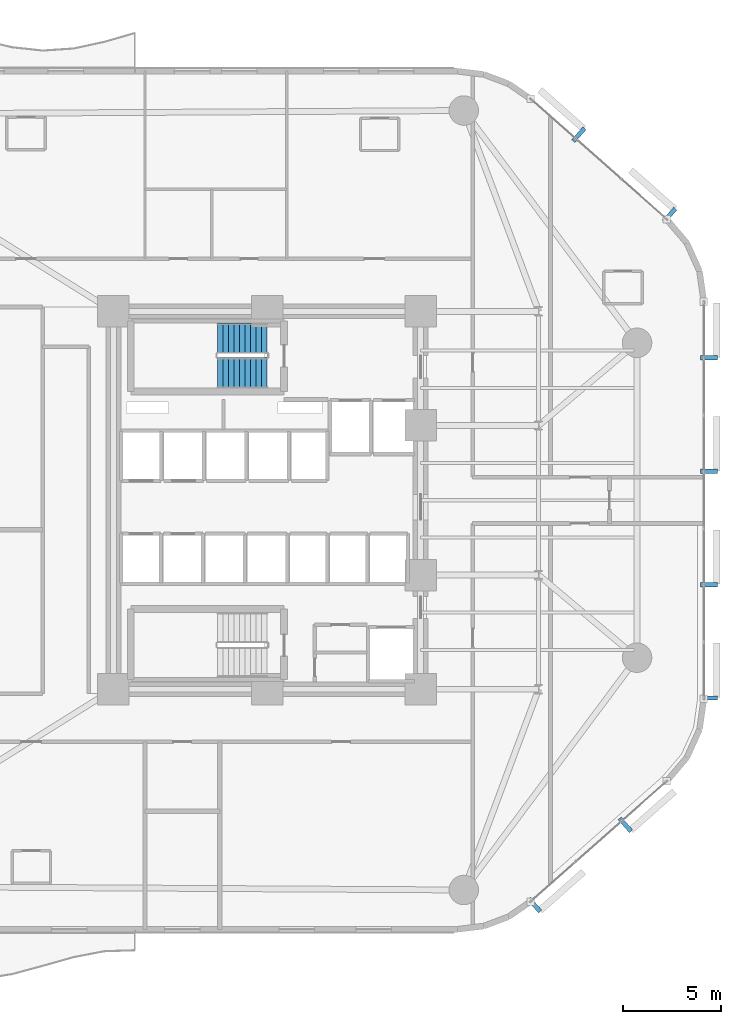
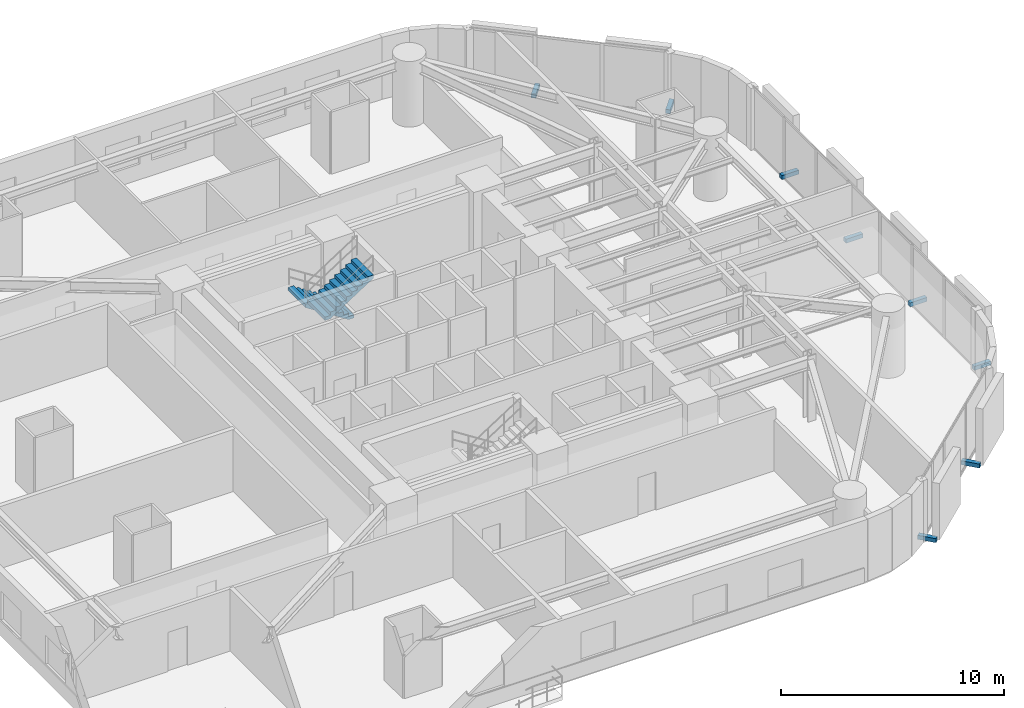
# One storey, part 14 of 17: 8 discrete accessories, 2 stair flights, 1 element without a shape of its own.
"""IFC4 building model written with IfcOpenShell, lengths in metres."""

from ifc_helpers import new_model, si_unit, direction, frame, origin, origin_2d, place, context, subcontext, project, spatial, polyline, rectangle, outline, extrude, material, type_object, element, aggregate, save


model = new_model("IFC4")

# Units and contexts
model_context = context("Model", 3, precision=1e-05, world=origin(), true_north=direction((0.0, 1.0)))
body_context = subcontext(model_context, "Body", "Model", "MODEL_VIEW")
ifc_project = project(units=[si_unit("LENGTHUNIT", "METRE"), si_unit("AREAUNIT", "SQUARE_METRE"), si_unit("VOLUMEUNIT", "CUBIC_METRE"), si_unit("PLANEANGLEUNIT", "RADIAN"), si_unit("MASSUNIT", "GRAM", prefix="KILO")], contexts=[model_context])

# Site, building, storey
site_placement = place(None, origin())
site = spatial("IfcSite", under=ifc_project, at=site_placement, CompositionType="ELEMENT")
building_placement = place(site_placement, origin())
building = spatial("IfcBuilding", under=site, at=building_placement, Name="An Khanh Terracotta Commons", CompositionType="ELEMENT")
storey_placement = place(building_placement, frame((0.0, 0.0, 32.39990234375)))
storey = spatial("IfcBuildingStorey", under=building, at=storey_placement, Name="L08", CompositionType="ELEMENT", Elevation=32.39990234375)

# Stair, stair flights
ifc_material_1 = material(Name="Precast concrete C40/50", Category="concrete")
stair_type = type_object("IfcStairType", Name="STAIR-CORE-1550", PredefinedType="HALF_TURN_STAIR", material=ifc_material_1)
stair_placement = place(storey_placement, origin())
stair = element("IfcStair", 1, at=stair_placement, inside=storey, type_object=stair_type, Name="L08 Core Smokeproof Exit Stair ST-01", PredefinedType="HALF_TURN_STAIR")
stair_flight_type = type_object("IfcStairFlightType", Name="FLIGHT-CORE-1550", PredefinedType="STRAIGHT", material=ifc_material_1)
stair_flight_1_placement = place(storey_placement, frame((29.409912109375, 32.22509765625, 0.0), z_axis=(0.0, 0.0, 1.0), x_axis=(-1.0, 0.0, 0.0)))
stair_flight_1 = element("IfcStairFlight", 2, at=stair_flight_1_placement, type_object=stair_flight_type, Name="ST-01 flight 1", NumberOfRisers=10, NumberOfTreads=9, PredefinedType="STRAIGHT", RiserHeight=0.18, TreadLength=0.28, context=body_context, shape_type="SweptSolid", body=[
    extrude(outline(polyline([(0.0, 0.0), (0.0, 0.179931640625), (0.280029296875, 0.179931640625), (0.280029296875, 0.360107421875), (0.56005859375, 0.360107421875), (0.56005859375, 0.5400390625), (0.840087890625, 0.5400390625), (0.840087890625, 0.719970703125), (1.1201171875, 0.719970703125), (1.1201171875, 0.89990234375), (1.39990234375, 0.89990234375), (1.39990234375, 1.080078125), (1.679931640625, 1.080078125), (1.679931640625, 1.260009765625), (1.9599609375, 1.260009765625), (1.9599609375, 1.43994140625), (2.239990234375, 1.43994140625), (2.239990234375, 1.6201171875), (2.52001953125, 1.6201171875), (2.52001953125, 1.800048828125), (2.52001953125, 1.44189453125), (0.277099609375, 0.0), (0.0, 0.0)])), frame((0.0, 0.77490234375, 0.0), z_axis=(0.0, -1.0, 0.0), x_axis=(1.0, 0.0, 0.0)), (0.0, 0.0, 1.0), 1.550048828125),
])
stair_flight_2_placement = place(storey_placement, frame((26.889892578125, 30.47509765625, 1.800048828125), z_axis=(0.0, 0.0, 1.0), x_axis=(1.0, 0.0, 0.0)))
stair_flight_2 = element("IfcStairFlight", 3, at=stair_flight_2_placement, type_object=stair_flight_type, Name="ST-01 flight 2", NumberOfRisers=10, NumberOfTreads=9, PredefinedType="STRAIGHT", RiserHeight=0.18, TreadLength=0.28, context=body_context, shape_type="SweptSolid", body=[
    extrude(outline(polyline([(0.0, 0.0), (0.0, 0.179931640625), (0.280029296875, 0.179931640625), (0.280029296875, 0.360107421875), (0.56005859375, 0.360107421875), (0.56005859375, 0.5400390625), (0.840087890625, 0.5400390625), (0.840087890625, 0.719970703125), (1.1201171875, 0.719970703125), (1.1201171875, 0.89990234375), (1.39990234375, 0.89990234375), (1.39990234375, 1.080078125), (1.679931640625, 1.080078125), (1.679931640625, 1.260009765625), (1.9599609375, 1.260009765625), (1.9599609375, 1.43994140625), (2.239990234375, 1.43994140625), (2.239990234375, 1.6201171875), (2.52001953125, 1.6201171875), (2.52001953125, 1.800048828125), (2.52001953125, 1.44189453125), (0.277099609375, 0.0), (0.0, 0.0)])), frame((0.0, 0.77490234375, 0.0), z_axis=(0.0, -1.0, 0.0), x_axis=(1.0, 0.0, 0.0)), (0.0, 0.0, 1.0), 1.550048828125),
])
aggregate(stair, [stair_flight_1, stair_flight_2])

# Discrete accessories
ifc_material_2 = material(Name="Stainless Steel Grade 316L", Category="steel")
discrete_accessory_type = type_object("IfcDiscreteAccessoryType", Name="Stainless Outrigger Facade Bracket", PredefinedType="BRACKET", material=ifc_material_2)
for number, where, z_axis, x_axis, name in (
    (4, (42.990966796875, 3.430908203125, 0.0703125), (0.0, 0.0, 1.0), (0.749019284633, 0.662548195415, 0.0), "L08 Terracotta Screen Outrigger Bracket 1"),
    (5, (47.60498046875, 7.511962890625, 0.0703125), (0.0, 0.0, 1.0), (0.749019284633, 0.662548195415, 0.0), "L08 Terracotta Screen Outrigger Bracket 3"),
    (6, (51.864990234375, 13.9580078125, 0.0703125), (0.0, 0.0, 1.0), (0.0, 1.0, 0.0), "L08 Terracotta Screen Outrigger Bracket 1"),
    (7, (51.864990234375, 19.716064453125, 0.0703125), (0.0, 0.0, 1.0), (0.0, 1.0, 0.0), "L08 Terracotta Screen Outrigger Bracket 3"),
    (8, (51.864990234375, 25.47509765625, 0.0703125), (0.0, 0.0, 1.0), (0.0, 1.0, 0.0), "L08 Terracotta Screen Outrigger Bracket 5"),
    (9, (51.864990234375, 31.23291015625, 0.0703125), (0.0, 0.0, 1.0), (0.0, 1.0, 0.0), "L08 Terracotta Screen Outrigger Bracket 7"),
    (10, (49.85888671875, 38.493896484375, 0.0703125), (0.0, 0.0, 1.0), (-0.749019284633, 0.662548195415, 0.0), "L08 Terracotta Screen Outrigger Bracket 1"),
    (11, (45.2451171875, 42.574951171875, 0.0703125), (0.0, 0.0, 1.0), (-0.749019284633, 0.662548195415, 0.0), "L08 Terracotta Screen Outrigger Bracket 3"),
):
    element("IfcDiscreteAccessory", number, at=place(storey_placement, frame(where, z_axis=z_axis, x_axis=x_axis)), inside=storey, type_object=discrete_accessory_type, Name=name, PredefinedType="BRACKET", context=body_context, shape_type="SweptSolid", body=[
        extrude(rectangle(XDim=0.219970703125, YDim=0.8701171875, at=origin_2d()), origin(), (0.0, 0.0, 1.0), 0.219970703125),
    ])

save(model, "model.ifc")
